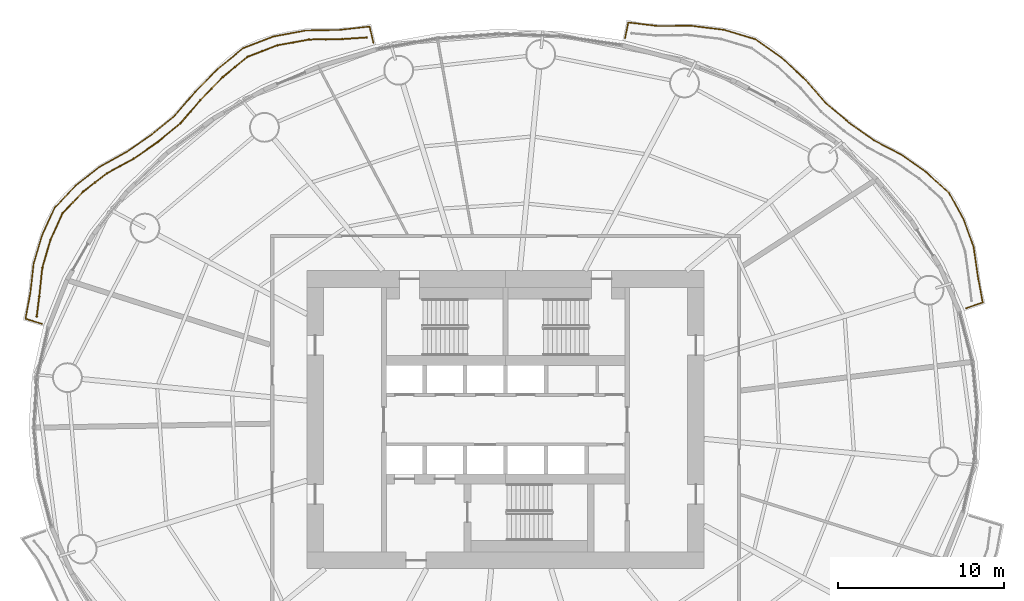
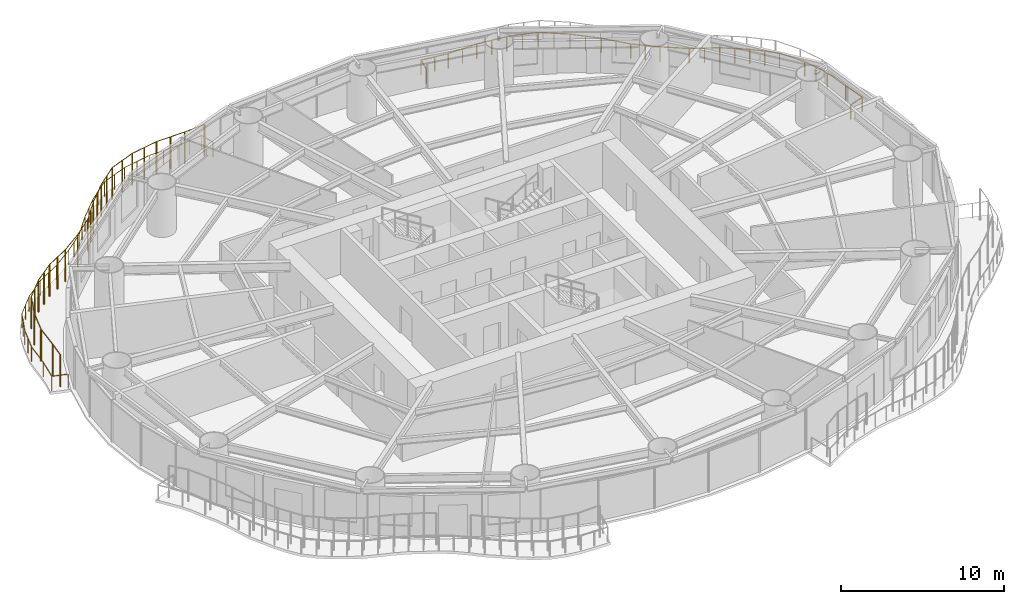
# One storey, part 16 of 17: 3 railings.
"""IFC4 building model written with IfcOpenShell, lengths in metres."""

from ifc_helpers import new_model, si_unit, direction, frame, origin, origin_2d, place, context, subcontext, project, spatial, circle, extrude, material, type_object, element, save


model = new_model("IFC4")

# Units and contexts
model_context = context("Model", 3, precision=1e-05, world=origin(), true_north=direction((0.0, 1.0)))
body_context = subcontext(model_context, "Body", "Model", "MODEL_VIEW")
ifc_project = project(units=[si_unit("LENGTHUNIT", "METRE"), si_unit("AREAUNIT", "SQUARE_METRE"), si_unit("VOLUMEUNIT", "CUBIC_METRE"), si_unit("PLANEANGLEUNIT", "RADIAN"), si_unit("MASSUNIT", "GRAM", prefix="KILO")], contexts=[model_context])

# Site, building, storey
site_placement = place(None, origin())
site = spatial("IfcSite", under=ifc_project, at=site_placement, CompositionType="ELEMENT")
building_placement = place(site_placement, origin())
building = spatial("IfcBuilding", under=site, at=building_placement, Name="Vermilion Reach Broadcast Tower", CompositionType="ELEMENT")
storey_placement = place(building_placement, frame((0.0, 0.0, 39.699951171875)))
storey = spatial("IfcBuildingStorey", under=building, at=storey_placement, Name="L06", CompositionType="ELEMENT", Elevation=39.699951171875)

# Railings
ifc_material_1 = material(Name="Terracotta baguette", Category="masonry")
railing_type_1 = type_object("IfcRailingType", Name="BAGUETTE SCREEN", PredefinedType="USERDEFINED", material=ifc_material_1)
railing_1_placement = place(storey_placement, frame((-14.3974609375, 23.09228515625, 0.0)))
element("IfcRailing", 1, at=railing_1_placement, inside=storey, type_object=railing_type_1, Name="Baguette screen L06 group 2", ObjectType="BAGUETTE SCREEN", PredefinedType="USERDEFINED", context=body_context, shape_type="SweptSolid", body=[
    extrude(circle(Radius=0.030029296875, at=origin_2d()), frame((0.0, 0.0, 2.369873046875), z_axis=(-0.997590389014, -0.06937878456, 0.0), x_axis=(0.06937878456, -0.997590389014, 0.0)), (0.0, 0.0, 1.0), 1.46728515625),
    extrude(circle(Radius=0.030029296875, at=origin_2d()), frame((-1.4638671875, -0.101806640625, 2.369873046875), z_axis=(-0.999918485491, -0.012768021522, 0.0), x_axis=(0.012768021522, -0.999918485491, 0.0)), (0.0, 0.0, 1.0), 2.0078125),
    extrude(circle(Radius=0.030029296875, at=origin_2d()), frame((-3.471435546875, -0.12744140625, 2.369873046875), z_axis=(-0.98389393527, -0.178753249309, 0.0), x_axis=(0.178753249309, -0.98389393527, 0.0)), (0.0, 0.0, 1.0), 1.950439453125),
    extrude(circle(Radius=0.030029296875, at=origin_2d()), frame((-5.390380859375, -0.47607421875, 2.369873046875), z_axis=(-0.933352107527, -0.358962175409, 0.0), x_axis=(0.358962175409, -0.933352107527, 0.0)), (0.0, 0.0, 1.0), 1.935546875),
    extrude(circle(Radius=0.030029296875, at=origin_2d()), frame((-7.197021484375, -1.1708984375, 2.369873046875), z_axis=(-0.771007734033, -0.636825779992, 0.0), x_axis=(0.636825779992, -0.771007734033, 0.0)), (0.0, 0.0, 1.0), 1.9267578125),
    extrude(circle(Radius=0.030029296875, at=origin_2d()), frame((-8.6826171875, -2.39794921875, 2.369873046875), z_axis=(-0.700413856958, -0.713736946628, 0.0), x_axis=(0.713736946628, -0.700413856958, 0.0)), (0.0, 0.0, 1.0), 1.924072265625),
    extrude(circle(Radius=0.030029296875, at=origin_2d()), frame((-10.0302734375, -3.771240234375, 2.369873046875), z_axis=(-0.647938491755, -0.76169266171, 0.0), x_axis=(0.76169266171, -0.647938491755, 0.0)), (0.0, 0.0, 1.0), 1.8564453125),
    extrude(circle(Radius=0.030029296875, at=origin_2d()), frame((-11.233154296875, -5.185302734375, 2.369873046875), z_axis=(-0.77362764373, -0.63364048865, 0.0), x_axis=(0.63364048865, -0.77362764373, 0.0)), (0.0, 0.0, 1.0), 1.782470703125),
    extrude(circle(Radius=0.030029296875, at=origin_2d()), frame((-12.612060546875, -6.314697265625, 2.369873046875), z_axis=(-0.820690108816, -0.571373560197, 0.0), x_axis=(0.571373560197, -0.820690108816, 0.0)), (0.0, 0.0, 1.0), 1.7587890625),
    extrude(circle(Radius=0.030029296875, at=origin_2d()), frame((-14.055419921875, -7.319580078125, 2.369873046875), z_axis=(-0.878126530865, -0.478428464653, 0.0), x_axis=(0.478428464653, -0.878126530865, 0.0)), (0.0, 0.0, 1.0), 1.857421875),
    extrude(circle(Radius=0.030029296875, at=origin_2d()), frame((-15.6865234375, -8.208251953125, 2.369873046875), z_axis=(-0.790162160688, -0.612897837993, 0.0), x_axis=(0.612897837993, -0.790162160688, 0.0)), (0.0, 0.0, 1.0), 1.800048828125),
    extrude(circle(Radius=0.030029296875, at=origin_2d()), frame((-17.10888671875, -9.3115234375, 2.369873046875), z_axis=(-0.69199062057, -0.721906490512, 0.0), x_axis=(0.721906490512, -0.69199062057, 0.0)), (0.0, 0.0, 1.0), 1.803466796875),
    extrude(circle(Radius=0.030029296875, at=origin_2d()), frame((-18.35693359375, -10.613525390625, 2.369873046875), z_axis=(-0.415023279209, -0.909810792261, 0.0), x_axis=(0.909810792261, -0.415023279209, 0.0)), (0.0, 0.0, 1.0), 1.762939453125),
    extrude(circle(Radius=0.030029296875, at=origin_2d()), frame((-19.088623046875, -12.217529296875, 2.369873046875), z_axis=(-0.281171763872, -0.959657459306, 0.0), x_axis=(0.959657459306, -0.281171763872, 0.0)), (0.0, 0.0, 1.0), 1.767822265625),
    extrude(circle(Radius=0.030029296875, at=origin_2d()), frame((-19.585693359375, -13.9140625, 2.369873046875), z_axis=(-0.105077553861, -0.994464030357, 0.0), x_axis=(0.994464030357, -0.105077553861, 0.0)), (0.0, 0.0, 1.0), 1.747314453125),
    extrude(circle(Radius=0.030029296875, at=origin_2d()), frame((-19.769287109375, -15.651611328125, 2.369873046875), z_axis=(-0.126333337821, -0.991987846576, 0.0), x_axis=(0.991987846576, -0.126333337821, 0.0)), (0.0, 0.0, 1.0), 1.215576171875),
    extrude(circle(Radius=0.050048828125, at=origin_2d()), origin(), (0.0, 0.0, 1.0), 2.33984375),
    extrude(circle(Radius=0.050048828125, at=origin_2d()), frame((-1.4638671875, -0.101806640625, 0.0)), (0.0, 0.0, 1.0), 2.33984375),
    extrude(circle(Radius=0.050048828125, at=origin_2d()), frame((-2.4677734375, -0.11474609375, 0.0)), (0.0, 0.0, 1.0), 2.33984375),
    extrude(circle(Radius=0.050048828125, at=origin_2d()), frame((-3.471435546875, -0.12744140625, 0.0)), (0.0, 0.0, 1.0), 2.33984375),
    extrude(circle(Radius=0.050048828125, at=origin_2d()), frame((-4.430908203125, -0.3017578125, 0.0)), (0.0, 0.0, 1.0), 2.33984375),
    extrude(circle(Radius=0.050048828125, at=origin_2d()), frame((-5.390380859375, -0.47607421875, 0.0)), (0.0, 0.0, 1.0), 2.33984375),
    extrude(circle(Radius=0.050048828125, at=origin_2d()), frame((-6.293701171875, -0.823486328125, 0.0)), (0.0, 0.0, 1.0), 2.33984375),
    extrude(circle(Radius=0.050048828125, at=origin_2d()), frame((-7.197021484375, -1.1708984375, 0.0)), (0.0, 0.0, 1.0), 2.33984375),
    extrude(circle(Radius=0.050048828125, at=origin_2d()), frame((-7.93994140625, -1.784423828125, 0.0)), (0.0, 0.0, 1.0), 2.33984375),
    extrude(circle(Radius=0.050048828125, at=origin_2d()), frame((-8.6826171875, -2.39794921875, 0.0)), (0.0, 0.0, 1.0), 2.33984375),
    extrude(circle(Radius=0.050048828125, at=origin_2d()), frame((-9.3564453125, -3.08447265625, 0.0)), (0.0, 0.0, 1.0), 2.33984375),
    extrude(circle(Radius=0.050048828125, at=origin_2d()), frame((-10.0302734375, -3.771240234375, 0.0)), (0.0, 0.0, 1.0), 2.33984375),
    extrude(circle(Radius=0.050048828125, at=origin_2d()), frame((-10.6318359375, -4.478271484375, 0.0)), (0.0, 0.0, 1.0), 2.33984375),
    extrude(circle(Radius=0.050048828125, at=origin_2d()), frame((-11.233154296875, -5.185302734375, 0.0)), (0.0, 0.0, 1.0), 2.33984375),
    extrude(circle(Radius=0.050048828125, at=origin_2d()), frame((-12.612060546875, -6.314697265625, 0.0)), (0.0, 0.0, 1.0), 2.33984375),
    extrude(circle(Radius=0.050048828125, at=origin_2d()), frame((-14.055419921875, -7.319580078125, 0.0)), (0.0, 0.0, 1.0), 2.33984375),
    extrude(circle(Radius=0.050048828125, at=origin_2d()), frame((-14.87109375, -7.763916015625, 0.0)), (0.0, 0.0, 1.0), 2.33984375),
    extrude(circle(Radius=0.050048828125, at=origin_2d()), frame((-15.6865234375, -8.208251953125, 0.0)), (0.0, 0.0, 1.0), 2.33984375),
    extrude(circle(Radius=0.050048828125, at=origin_2d()), frame((-16.397705078125, -8.759765625, 0.0)), (0.0, 0.0, 1.0), 2.33984375),
    extrude(circle(Radius=0.050048828125, at=origin_2d()), frame((-17.10888671875, -9.3115234375, 0.0)), (0.0, 0.0, 1.0), 2.33984375),
    extrude(circle(Radius=0.050048828125, at=origin_2d()), frame((-17.73291015625, -9.96240234375, 0.0)), (0.0, 0.0, 1.0), 2.33984375),
    extrude(circle(Radius=0.050048828125, at=origin_2d()), frame((-18.35693359375, -10.613525390625, 0.0)), (0.0, 0.0, 1.0), 2.33984375),
    extrude(circle(Radius=0.050048828125, at=origin_2d()), frame((-19.088623046875, -12.217529296875, 0.0)), (0.0, 0.0, 1.0), 2.33984375),
    extrude(circle(Radius=0.050048828125, at=origin_2d()), frame((-19.585693359375, -13.9140625, 0.0)), (0.0, 0.0, 1.0), 2.33984375),
    extrude(circle(Radius=0.050048828125, at=origin_2d()), frame((-19.769287109375, -15.651611328125, 0.0)), (0.0, 0.0, 1.0), 2.33984375),
    extrude(circle(Radius=0.050048828125, at=origin_2d()), frame((-19.9228515625, -16.857421875, 0.0)), (0.0, 0.0, 1.0), 2.33984375),
])
ifc_material_2 = material(Name="Stainless steel 316 balustrade", Category="steel")
railing_type_2 = type_object("IfcRailingType", Name="Balcony guard 1100", PredefinedType="BALUSTRADE", material=ifc_material_2)
railing_2_placement = place(storey_placement, frame((21.805908203125, 6.732177734375, 0.0)))
element("IfcRailing", 2, at=railing_2_placement, inside=storey, type_object=railing_type_2, Name="Balcony guard L06 group 1", PredefinedType="BALUSTRADE", context=body_context, shape_type="SweptSolid", body=[
    extrude(circle(Radius=0.02490234375, at=origin_2d()), frame((0.0, 0.0, 1.0751953125), z_axis=(0.945307651796, 0.326180078262, 0.0), x_axis=(-0.326180078262, 0.945307651796, 0.0)), (0.0, 0.0, 1.0), 1.072509765625),
    extrude(circle(Radius=0.02490234375, at=origin_2d()), frame((1.013916015625, 0.349853515625, 1.0751953125), z_axis=(-0.183162220561, 0.983082703011, 0.0), x_axis=(-0.983082703011, -0.183162220561, 0.0)), (0.0, 0.0, 1.0), 1.596923828125),
    extrude(circle(Radius=0.02490234375, at=origin_2d()), frame((0.721435546875, 1.919677734375, 1.0751953125), z_axis=(-0.14240960024, 0.989807812537, 0.0), x_axis=(-0.989807812537, -0.14240960024, 0.0)), (0.0, 0.0, 1.0), 1.79833984375),
    extrude(circle(Radius=0.02490234375, at=origin_2d()), frame((0.46533203125, 3.69970703125, 1.0751953125), z_axis=(-0.340821692627, 0.940127956097, 0.0), x_axis=(-0.940127956097, -0.340821692627, 0.0)), (0.0, 0.0, 1.0), 1.808837890625),
    extrude(circle(Radius=0.02490234375, at=origin_2d()), frame((-0.151123046875, 5.400146484375, 1.0751953125), z_axis=(-0.484939435904, 0.87454773655, 0.0), x_axis=(-0.87454773655, -0.484939435904, 0.0)), (0.0, 0.0, 1.0), 1.7978515625),
    extrude(circle(Radius=0.02490234375, at=origin_2d()), frame((-1.02294921875, 6.972412109375, 1.0751953125), z_axis=(-0.740488621353, 0.672068896503, 0.0), x_axis=(-0.672068896503, -0.740488621353, 0.0)), (0.0, 0.0, 1.0), 1.85205078125),
    extrude(circle(Radius=0.02490234375, at=origin_2d()), frame((-2.394287109375, 8.217041015625, 1.0751953125), z_axis=(-0.818070149174, 0.575118449565, 0.0), x_axis=(-0.575118449565, -0.818070149174, 0.0)), (0.0, 0.0, 1.0), 1.8388671875),
    extrude(circle(Radius=0.02490234375, at=origin_2d()), frame((-3.898681640625, 9.274658203125, 1.0751953125), z_axis=(-0.885238946779, 0.465136546732, 0.0), x_axis=(-0.465136546732, -0.885238946779, 0.0)), (0.0, 0.0, 1.0), 1.881103515625),
    extrude(circle(Radius=0.02490234375, at=origin_2d()), frame((-5.56396484375, 10.149658203125, 1.0751953125), z_axis=(-0.815577950695, 0.578647220973, 0.0), x_axis=(-0.578647220973, -0.815577950695, 0.0)), (0.0, 0.0, 1.0), 1.78466796875),
    extrude(circle(Radius=0.02490234375, at=origin_2d()), frame((-7.01953125, 11.182373046875, 1.0751953125), z_axis=(-0.766661143097, 0.642051938449, 0.0), x_axis=(-0.642051938449, -0.766661143097, 0.0)), (0.0, 0.0, 1.0), 1.823974609375),
    extrude(circle(Radius=0.02490234375, at=origin_2d()), frame((-8.41796875, 12.353515625, 1.0751953125), z_axis=(-0.659943919139, 0.751314863151, 0.0), x_axis=(-0.751314863151, -0.659943919139, 0.0)), (0.0, 0.0, 1.0), 1.90771484375),
    extrude(circle(Radius=0.02490234375, at=origin_2d()), frame((-9.677001953125, 13.786865234375, 1.0751953125), z_axis=(-0.733493894429, 0.679696040033, 0.0), x_axis=(-0.679696040033, -0.733493894429, 0.0)), (0.0, 0.0, 1.0), 1.96044921875),
    extrude(circle(Radius=0.02490234375, at=origin_2d()), frame((-11.114990234375, 15.119384765625, 1.0751953125), z_axis=(-0.815640527606, 0.578559011448, 0.0), x_axis=(-0.578559011448, -0.815640527606, 0.0)), (0.0, 0.0, 1.0), 1.950439453125),
    extrude(circle(Radius=0.02490234375, at=origin_2d()), frame((-12.705810546875, 16.247802734375, 1.0751953125), z_axis=(-0.957870490667, 0.28720049288, 0.0), x_axis=(-0.28720049288, -0.957870490667, 0.0)), (0.0, 0.0, 1.0), 1.9755859375),
    extrude(circle(Radius=0.02490234375, at=origin_2d()), frame((-14.59814453125, 16.815185546875, 1.0751953125), z_axis=(-0.992194488814, 0.124700025526, 0.0), x_axis=(-0.124700025526, -0.992194488814, 0.0)), (0.0, 0.0, 1.0), 1.9873046875),
    extrude(circle(Radius=0.02490234375, at=origin_2d()), frame((-16.56982421875, 17.06298828125, 1.0751953125), z_axis=(-0.999973903863, -0.007224374983, 0.0), x_axis=(0.007224374983, -0.999973903863, 0.0)), (0.0, 0.0, 1.0), 2.027587890625),
    extrude(circle(Radius=0.02490234375, at=origin_2d()), frame((-18.597412109375, 17.04833984375, 1.0751953125), z_axis=(-0.992800038886, 0.119783482953, 0.0), x_axis=(-0.119783482953, -0.992800038886, 0.0)), (0.0, 0.0, 1.0), 1.809814453125),
    extrude(circle(Radius=0.02490234375, at=origin_2d()), frame((-20.394287109375, 17.26513671875, 1.0751953125), z_axis=(-0.198217470036, -0.980158066116, 0.0), x_axis=(0.980158066116, -0.198217470036, 0.0)), (0.0, 0.0, 1.0), 0.98291015625),
    extrude(circle(Radius=0.02490234375, at=origin_2d()), origin(), (0.0, 0.0, 1.0), 1.050048828125),
    extrude(circle(Radius=0.02490234375, at=origin_2d()), frame((1.013916015625, 0.349853515625, 0.0)), (0.0, 0.0, 1.0), 1.050048828125),
    extrude(circle(Radius=0.02490234375, at=origin_2d()), frame((0.721435546875, 1.919677734375, 0.0)), (0.0, 0.0, 1.0), 1.050048828125),
    extrude(circle(Radius=0.02490234375, at=origin_2d()), frame((0.46533203125, 3.69970703125, 0.0)), (0.0, 0.0, 1.0), 1.050048828125),
    extrude(circle(Radius=0.02490234375, at=origin_2d()), frame((0.1572265625, 4.5498046875, 0.0)), (0.0, 0.0, 1.0), 1.050048828125),
    extrude(circle(Radius=0.02490234375, at=origin_2d()), frame((-0.151123046875, 5.400146484375, 0.0)), (0.0, 0.0, 1.0), 1.050048828125),
    extrude(circle(Radius=0.02490234375, at=origin_2d()), frame((-1.02294921875, 6.972412109375, 0.0)), (0.0, 0.0, 1.0), 1.050048828125),
    extrude(circle(Radius=0.02490234375, at=origin_2d()), frame((-1.70849609375, 7.5947265625, 0.0)), (0.0, 0.0, 1.0), 1.050048828125),
    extrude(circle(Radius=0.02490234375, at=origin_2d()), frame((-2.394287109375, 8.217041015625, 0.0)), (0.0, 0.0, 1.0), 1.050048828125),
    extrude(circle(Radius=0.02490234375, at=origin_2d()), frame((-3.146484375, 8.745849609375, 0.0)), (0.0, 0.0, 1.0), 1.050048828125),
    extrude(circle(Radius=0.02490234375, at=origin_2d()), frame((-3.898681640625, 9.274658203125, 0.0)), (0.0, 0.0, 1.0), 1.050048828125),
    extrude(circle(Radius=0.02490234375, at=origin_2d()), frame((-4.7314453125, 9.712158203125, 0.0)), (0.0, 0.0, 1.0), 1.050048828125),
    extrude(circle(Radius=0.02490234375, at=origin_2d()), frame((-5.56396484375, 10.149658203125, 0.0)), (0.0, 0.0, 1.0), 1.050048828125),
    extrude(circle(Radius=0.02490234375, at=origin_2d()), frame((-7.01953125, 11.182373046875, 0.0)), (0.0, 0.0, 1.0), 1.050048828125),
    extrude(circle(Radius=0.02490234375, at=origin_2d()), frame((-7.71875, 11.76806640625, 0.0)), (0.0, 0.0, 1.0), 1.050048828125),
    extrude(circle(Radius=0.02490234375, at=origin_2d()), frame((-8.41796875, 12.353515625, 0.0)), (0.0, 0.0, 1.0), 1.050048828125),
    extrude(circle(Radius=0.02490234375, at=origin_2d()), frame((-9.04736328125, 13.0703125, 0.0)), (0.0, 0.0, 1.0), 1.050048828125),
    extrude(circle(Radius=0.02490234375, at=origin_2d()), frame((-9.677001953125, 13.786865234375, 0.0)), (0.0, 0.0, 1.0), 1.050048828125),
    extrude(circle(Radius=0.02490234375, at=origin_2d()), frame((-10.39599609375, 14.453125, 0.0)), (0.0, 0.0, 1.0), 1.050048828125),
    extrude(circle(Radius=0.02490234375, at=origin_2d()), frame((-11.114990234375, 15.119384765625, 0.0)), (0.0, 0.0, 1.0), 1.050048828125),
    extrude(circle(Radius=0.02490234375, at=origin_2d()), frame((-11.910400390625, 15.68359375, 0.0)), (0.0, 0.0, 1.0), 1.050048828125),
    extrude(circle(Radius=0.02490234375, at=origin_2d()), frame((-12.705810546875, 16.247802734375, 0.0)), (0.0, 0.0, 1.0), 1.050048828125),
    extrude(circle(Radius=0.02490234375, at=origin_2d()), frame((-13.65185546875, 16.531494140625, 0.0)), (0.0, 0.0, 1.0), 1.050048828125),
    extrude(circle(Radius=0.02490234375, at=origin_2d()), frame((-14.59814453125, 16.815185546875, 0.0)), (0.0, 0.0, 1.0), 1.050048828125),
    extrude(circle(Radius=0.02490234375, at=origin_2d()), frame((-15.583984375, 16.93896484375, 0.0)), (0.0, 0.0, 1.0), 1.050048828125),
    extrude(circle(Radius=0.02490234375, at=origin_2d()), frame((-16.56982421875, 17.06298828125, 0.0)), (0.0, 0.0, 1.0), 1.050048828125),
    extrude(circle(Radius=0.02490234375, at=origin_2d()), frame((-17.58349609375, 17.0556640625, 0.0)), (0.0, 0.0, 1.0), 1.050048828125),
    extrude(circle(Radius=0.02490234375, at=origin_2d()), frame((-18.597412109375, 17.04833984375, 0.0)), (0.0, 0.0, 1.0), 1.050048828125),
    extrude(circle(Radius=0.02490234375, at=origin_2d()), frame((-19.495849609375, 17.15673828125, 0.0)), (0.0, 0.0, 1.0), 1.050048828125),
    extrude(circle(Radius=0.02490234375, at=origin_2d()), frame((-20.394287109375, 17.26513671875, 0.0)), (0.0, 0.0, 1.0), 1.050048828125),
    extrude(circle(Radius=0.02490234375, at=origin_2d()), frame((-20.589111328125, 16.3017578125, 0.0)), (0.0, 0.0, 1.0), 1.050048828125),
])
railing_3_placement = place(storey_placement, frame((-13.984375, 22.779052734375, 0.0)))
element("IfcRailing", 3, at=railing_3_placement, inside=storey, type_object=railing_type_2, Name="Balcony guard L06 group 2", PredefinedType="BALUSTRADE", context=body_context, shape_type="SweptSolid", body=[
    extrude(circle(Radius=0.02490234375, at=origin_2d()), frame((0.0, 0.0, 1.0751953125), z_axis=(-0.231124521834, 0.972924177625, 0.0), x_axis=(-0.972924177625, -0.231124521834, 0.0)), (0.0, 0.0, 1.0), 0.998291015625),
    extrude(circle(Radius=0.02490234375, at=origin_2d()), frame((-0.230712890625, 0.97119140625, 1.0751953125), z_axis=(-0.993739127047, -0.111725321105, 0.0), x_axis=(0.111725321105, -0.993739127047, 0.0)), (0.0, 0.0, 1.0), 1.822509765625),
    extrude(circle(Radius=0.02490234375, at=origin_2d()), frame((-2.041748046875, 0.767578125, 1.0751953125), z_axis=(-0.999845071689, -0.017602062939, 0.0), x_axis=(0.017602062939, -0.999845071689, 0.0)), (0.0, 0.0, 1.0), 2.038818359375),
    extrude(circle(Radius=0.02490234375, at=origin_2d()), frame((-4.080322265625, 0.731689453125, 1.0751953125), z_axis=(-0.983341566663, -0.181767332798, 0.0), x_axis=(0.181767332798, -0.983341566663, 0.0)), (0.0, 0.0, 1.0), 1.982421875),
    extrude(circle(Radius=0.02490234375, at=origin_2d()), frame((-6.02978515625, 0.371337890625, 1.0751953125), z_axis=(-0.932913632744, -0.360100199724, 0.0), x_axis=(0.360100199724, -0.932913632744, 0.0)), (0.0, 0.0, 1.0), 1.969482421875),
    extrude(circle(Radius=0.02490234375, at=origin_2d()), frame((-7.8671875, -0.337890625, 1.0751953125), z_axis=(-0.773190827614, -0.634173433765, 0.0), x_axis=(0.634173433765, -0.773190827614, 0.0)), (0.0, 0.0, 1.0), 1.9599609375),
    extrude(circle(Radius=0.02490234375, at=origin_2d()), frame((-9.382568359375, -1.580810546875, 1.0751953125), z_axis=(-0.703670493411, -0.710526450389, 0.0), x_axis=(0.710526450389, -0.703670493411, 0.0)), (0.0, 0.0, 1.0), 1.95849609375),
    extrude(circle(Radius=0.02490234375, at=origin_2d()), frame((-10.7607421875, -2.972412109375, 1.0751953125), z_axis=(-0.651482351851, -0.758663789321, 0.0), x_axis=(0.758663789321, -0.651482351851, 0.0)), (0.0, 0.0, 1.0), 1.890625),
    extrude(circle(Radius=0.02490234375, at=origin_2d()), frame((-11.992431640625, -4.40673828125, 1.0751953125), z_axis=(-0.773789884955, -0.633442352501, 0.0), x_axis=(0.633442352501, -0.773789884955, 0.0)), (0.0, 0.0, 1.0), 1.819580078125),
    extrude(circle(Radius=0.02490234375, at=origin_2d()), frame((-13.400390625, -5.559326171875, 1.0751953125), z_axis=(-0.819199980738, -0.573507969917, 0.0), x_axis=(0.573507969917, -0.819199980738, 0.0)), (0.0, 0.0, 1.0), 1.795654296875),
    extrude(circle(Radius=0.02490234375, at=origin_2d()), frame((-14.871337890625, -6.589111328125, 1.0751953125), z_axis=(-0.875164030645, -0.483826331926, 0.0), x_axis=(0.483826331926, -0.875164030645, 0.0)), (0.0, 0.0, 1.0), 1.895263671875),
    extrude(circle(Radius=0.02490234375, at=origin_2d()), frame((-16.530029296875, -7.506103515625, 1.0751953125), z_axis=(-0.787496593979, -0.616319003821, 0.0), x_axis=(0.616319003821, -0.787496593979, 0.0)), (0.0, 0.0, 1.0), 1.83837890625),
    extrude(circle(Radius=0.02490234375, at=origin_2d()), frame((-17.977783203125, -8.63916015625, 1.0751953125), z_axis=(-0.689757626944, -0.724040341467, 0.0), x_axis=(0.724040341467, -0.689757626944, 0.0)), (0.0, 0.0, 1.0), 1.844482421875),
    extrude(circle(Radius=0.02490234375, at=origin_2d()), frame((-19.25, -9.974609375, 1.0751953125), z_axis=(-0.417796135329, -0.908540802223, 0.0), x_axis=(0.908540802223, -0.417796135329, 0.0)), (0.0, 0.0, 1.0), 1.803955078125),
    extrude(circle(Radius=0.02490234375, at=origin_2d()), frame((-20.003662109375, -11.613525390625, 1.0751953125), z_axis=(-0.285763840679, -0.958300071669, 0.0), x_axis=(0.958300071669, -0.285763840679, 0.0)), (0.0, 0.0, 1.0), 1.810302734375),
    extrude(circle(Radius=0.02490234375, at=origin_2d()), frame((-20.52099609375, -13.348388671875, 1.0751953125), z_axis=(-0.112349143637, -0.99366879287, 0.0), x_axis=(0.99366879287, -0.112349143637, 0.0)), (0.0, 0.0, 1.0), 1.788330078125),
    extrude(circle(Radius=0.02490234375, at=origin_2d()), frame((-20.721923828125, -15.12548828125, 1.0751953125), z_axis=(-0.183067515621, -0.983100343162, 0.0), x_axis=(0.983100343162, -0.183067515621, 0.0)), (0.0, 0.0, 1.0), 1.58154296875),
    extrude(circle(Radius=0.02490234375, at=origin_2d()), frame((-21.011474609375, -16.680419921875, 1.0751953125), z_axis=(0.955717211384, -0.294286615164, 0.0), x_axis=(0.294286615164, 0.955717211384, 0.0)), (0.0, 0.0, 1.0), 1.025390625),
    extrude(circle(Radius=0.02490234375, at=origin_2d()), origin(), (0.0, 0.0, 1.0), 1.050048828125),
    extrude(circle(Radius=0.02490234375, at=origin_2d()), frame((-0.230712890625, 0.97119140625, 0.0)), (0.0, 0.0, 1.0), 1.050048828125),
    extrude(circle(Radius=0.02490234375, at=origin_2d()), frame((-1.13623046875, 0.869384765625, 0.0)), (0.0, 0.0, 1.0), 1.050048828125),
    extrude(circle(Radius=0.02490234375, at=origin_2d()), frame((-2.041748046875, 0.767578125, 0.0)), (0.0, 0.0, 1.0), 1.050048828125),
    extrude(circle(Radius=0.02490234375, at=origin_2d()), frame((-3.06103515625, 0.74951171875, 0.0)), (0.0, 0.0, 1.0), 1.050048828125),
    extrude(circle(Radius=0.02490234375, at=origin_2d()), frame((-4.080322265625, 0.731689453125, 0.0)), (0.0, 0.0, 1.0), 1.050048828125),
    extrude(circle(Radius=0.02490234375, at=origin_2d()), frame((-5.05517578125, 0.551513671875, 0.0)), (0.0, 0.0, 1.0), 1.050048828125),
    extrude(circle(Radius=0.02490234375, at=origin_2d()), frame((-6.02978515625, 0.371337890625, 0.0)), (0.0, 0.0, 1.0), 1.050048828125),
    extrude(circle(Radius=0.02490234375, at=origin_2d()), frame((-6.948486328125, 0.0166015625, 0.0)), (0.0, 0.0, 1.0), 1.050048828125),
    extrude(circle(Radius=0.02490234375, at=origin_2d()), frame((-7.8671875, -0.337890625, 0.0)), (0.0, 0.0, 1.0), 1.050048828125),
    extrude(circle(Radius=0.02490234375, at=origin_2d()), frame((-8.625, -0.95947265625, 0.0)), (0.0, 0.0, 1.0), 1.050048828125),
    extrude(circle(Radius=0.02490234375, at=origin_2d()), frame((-9.382568359375, -1.580810546875, 0.0)), (0.0, 0.0, 1.0), 1.050048828125),
    extrude(circle(Radius=0.02490234375, at=origin_2d()), frame((-10.07177734375, -2.276611328125, 0.0)), (0.0, 0.0, 1.0), 1.050048828125),
    extrude(circle(Radius=0.02490234375, at=origin_2d()), frame((-10.7607421875, -2.972412109375, 0.0)), (0.0, 0.0, 1.0), 1.050048828125),
    extrude(circle(Radius=0.02490234375, at=origin_2d()), frame((-11.37646484375, -3.689453125, 0.0)), (0.0, 0.0, 1.0), 1.050048828125),
    extrude(circle(Radius=0.02490234375, at=origin_2d()), frame((-11.992431640625, -4.40673828125, 0.0)), (0.0, 0.0, 1.0), 1.050048828125),
    extrude(circle(Radius=0.02490234375, at=origin_2d()), frame((-12.6962890625, -4.98291015625, 0.0)), (0.0, 0.0, 1.0), 1.050048828125),
    extrude(circle(Radius=0.02490234375, at=origin_2d()), frame((-13.400390625, -5.559326171875, 0.0)), (0.0, 0.0, 1.0), 1.050048828125),
    extrude(circle(Radius=0.02490234375, at=origin_2d()), frame((-14.871337890625, -6.589111328125, 0.0)), (0.0, 0.0, 1.0), 1.050048828125),
    extrude(circle(Radius=0.02490234375, at=origin_2d()), frame((-15.70068359375, -7.047607421875, 0.0)), (0.0, 0.0, 1.0), 1.050048828125),
    extrude(circle(Radius=0.02490234375, at=origin_2d()), frame((-16.530029296875, -7.506103515625, 0.0)), (0.0, 0.0, 1.0), 1.050048828125),
    extrude(circle(Radius=0.02490234375, at=origin_2d()), frame((-17.25390625, -8.07275390625, 0.0)), (0.0, 0.0, 1.0), 1.050048828125),
    extrude(circle(Radius=0.02490234375, at=origin_2d()), frame((-17.977783203125, -8.63916015625, 0.0)), (0.0, 0.0, 1.0), 1.050048828125),
    extrude(circle(Radius=0.02490234375, at=origin_2d()), frame((-18.61376953125, -9.306884765625, 0.0)), (0.0, 0.0, 1.0), 1.050048828125),
    extrude(circle(Radius=0.02490234375, at=origin_2d()), frame((-19.25, -9.974609375, 0.0)), (0.0, 0.0, 1.0), 1.050048828125),
    extrude(circle(Radius=0.02490234375, at=origin_2d()), frame((-19.626953125, -10.7939453125, 0.0)), (0.0, 0.0, 1.0), 1.050048828125),
    extrude(circle(Radius=0.02490234375, at=origin_2d()), frame((-20.003662109375, -11.613525390625, 0.0)), (0.0, 0.0, 1.0), 1.050048828125),
    extrude(circle(Radius=0.02490234375, at=origin_2d()), frame((-20.26220703125, -12.48095703125, 0.0)), (0.0, 0.0, 1.0), 1.050048828125),
    extrude(circle(Radius=0.02490234375, at=origin_2d()), frame((-20.52099609375, -13.348388671875, 0.0)), (0.0, 0.0, 1.0), 1.050048828125),
    extrude(circle(Radius=0.02490234375, at=origin_2d()), frame((-20.721923828125, -15.12548828125, 0.0)), (0.0, 0.0, 1.0), 1.050048828125),
    extrude(circle(Radius=0.02490234375, at=origin_2d()), frame((-21.011474609375, -16.680419921875, 0.0)), (0.0, 0.0, 1.0), 1.050048828125),
    extrude(circle(Radius=0.02490234375, at=origin_2d()), frame((-20.031494140625, -16.982177734375, 0.0)), (0.0, 0.0, 1.0), 1.050048828125),
])

save(model, "model.ifc")
